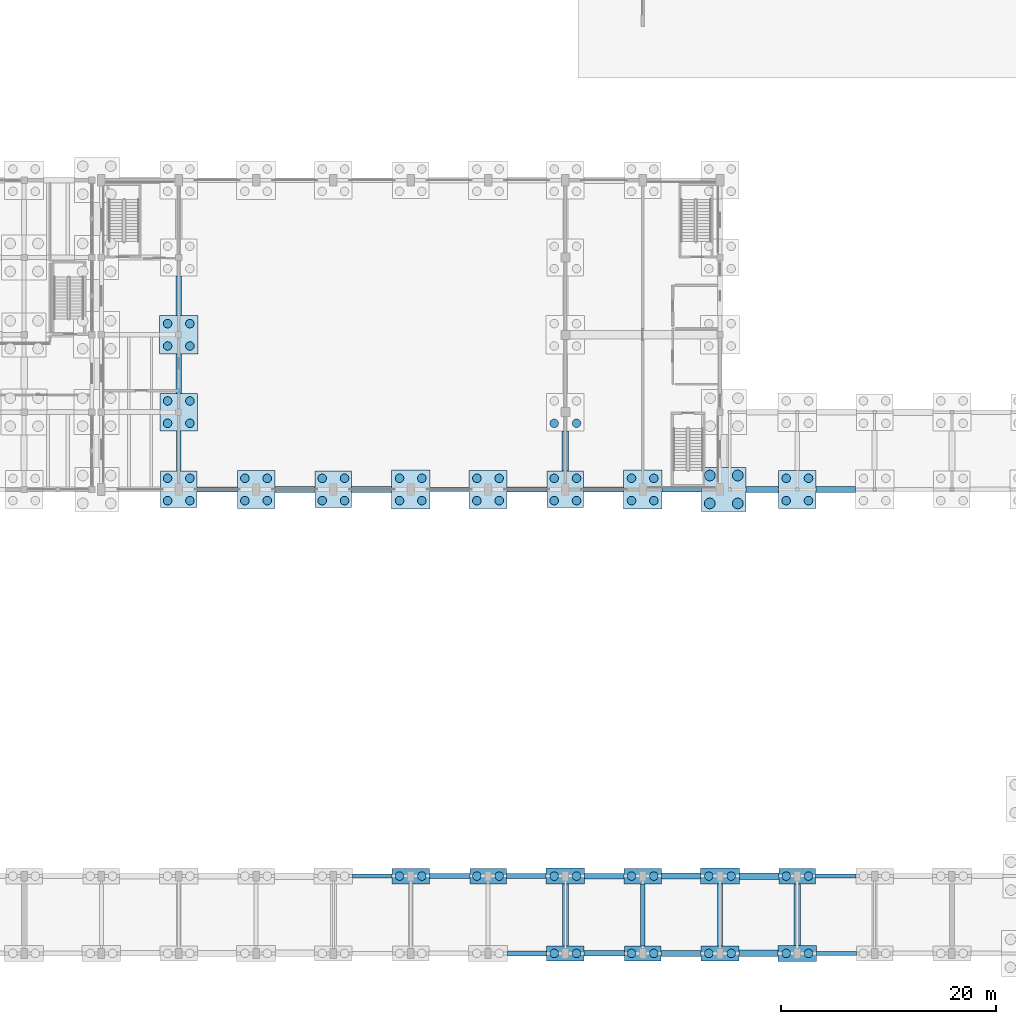
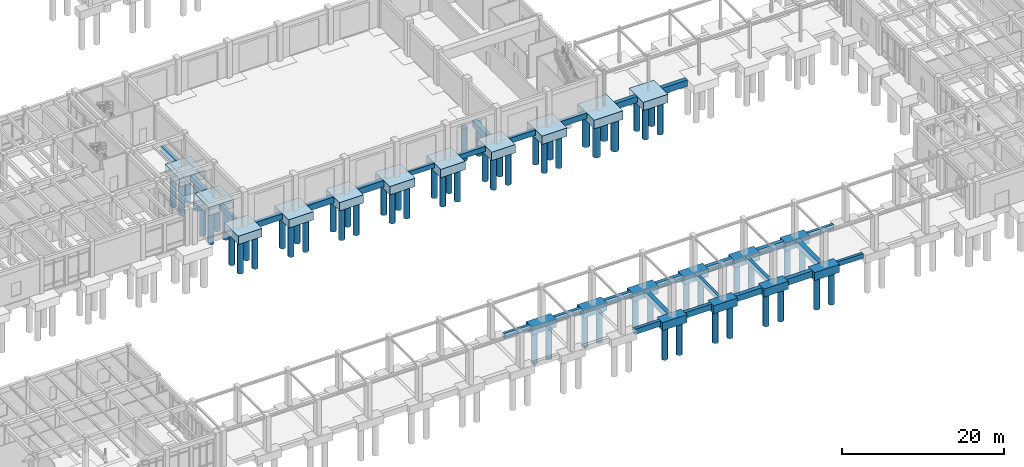
# One storey, part 4 of 93: 66 piles, 50 footings.
"""IFC4 building model written with IfcOpenShell, lengths in metres."""

from ifc_helpers import new_model, si_unit, direction, frame, origin, origin_2d, place, context, subcontext, project, spatial, rectangle, circle, extrude, material, material_profile, profile_set, type_object, element, save


model = new_model("IFC4")

# Units and contexts
model_context = context("Model", 3, precision=1e-05, world=origin(), true_north=direction((0.0, 1.0)))
body_context = subcontext(model_context, "Body", "Model", "MODEL_VIEW")
ifc_project = project(units=[si_unit("LENGTHUNIT", "METRE"), si_unit("AREAUNIT", "SQUARE_METRE"), si_unit("VOLUMEUNIT", "CUBIC_METRE"), si_unit("PLANEANGLEUNIT", "RADIAN"), si_unit("MASSUNIT", "GRAM", prefix="KILO")], contexts=[model_context])

# Site, building, storey
site_placement = place(None, origin())
site = spatial("IfcSite", under=ifc_project, at=site_placement, CompositionType="ELEMENT")
building_placement = place(site_placement, origin())
building = spatial("IfcBuilding", under=site, at=building_placement, Name="Koriwan Promenade Central Fire Station", CompositionType="ELEMENT")
storey_placement = place(building_placement, origin())
storey = spatial("IfcBuildingStorey", under=building, at=storey_placement, Name="L00", CompositionType="ELEMENT", Elevation=0.0)

# Piles
ifc_material = material(Name="Concrete C35/45", Category="concrete")
ifc_material_profile_1 = material_profile(ifc_material, circle(Radius=0.5, at=origin_2d()), Name="PILE-D1000")
ifc_profile_set_1 = profile_set([ifc_material_profile_1], Name="Concrete C35/45")
pile_type_1 = type_object("IfcPileType", Name="BoredPile_1000", PredefinedType="BORED", material=ifc_profile_set_1)
for number, where, z_axis, x_axis, name in (
    (1, (114.25, 41.89990234375, -1.14990234375), (0.0, 0.0, -1.0), (1.0, 0.0, 0.0), "Bored pile PCAP_144-11"),
    (2, (114.25, 44.5, -1.14990234375), (0.0, 0.0, -1.0), (1.0, 0.0, 0.0), "Bored pile PCAP_144-12"),
    (3, (116.85009765625, 41.89990234375, -1.14990234375), (0.0, 0.0, -1.0), (1.0, 0.0, 0.0), "Bored pile PCAP_144-21"),
    (4, (116.85009765625, 44.5, -1.14990234375), (0.0, 0.0, -1.0), (1.0, 0.0, 0.0), "Bored pile PCAP_144-22"),
):
    element("IfcPile", number, at=place(storey_placement, frame(where, z_axis=z_axis, x_axis=x_axis)), inside=storey, type_object=pile_type_1, Name=name, PredefinedType="BORED", context=body_context, shape_type="SweptSolid", body=[
        extrude(circle(Radius=0.5, at=origin_2d()), origin(), (0.0, 0.0, 1.0), 4.89990234375),
    ])
ifc_material_profile_2 = material_profile(ifc_material, circle(Radius=0.39990234375, at=origin_2d()), Name="PILE-D800")
ifc_profile_set_2 = profile_set([ifc_material_profile_2], Name="Concrete C35/45")
pile_type_2 = type_object("IfcPileType", Name="BoredPile_800", PredefinedType="BORED", material=ifc_profile_set_2)
for number, where, z_axis, x_axis, name in (
    (5, (63.760009765625, 42.159912109375, -1.10009765625), (0.0, 0.0, -1.0), (1.0, 0.0, 0.0), "Bored pile PCAP_090-11"),
    (6, (63.760009765625, 44.239990234375, -1.10009765625), (0.0, 0.0, -1.0), (1.0, 0.0, 0.0), "Bored pile PCAP_090-12"),
    (7, (65.840087890625, 42.159912109375, -1.10009765625), (0.0, 0.0, -1.0), (1.0, 0.0, 0.0), "Bored pile PCAP_090-21"),
    (8, (65.840087890625, 44.239990234375, -1.10009765625), (0.0, 0.0, -1.0), (1.0, 0.0, 0.0), "Bored pile PCAP_090-22"),
    (9, (63.760009765625, 49.360107421875, -1.10009765625), (0.0, 0.0, -1.0), (1.0, 0.0, 0.0), "Bored pile PCAP_091-11"),
    (10, (63.760009765625, 51.43994140625, -1.10009765625), (0.0, 0.0, -1.0), (1.0, 0.0, 0.0), "Bored pile PCAP_091-12"),
    (11, (65.840087890625, 49.360107421875, -1.10009765625), (0.0, 0.0, -1.0), (1.0, 0.0, 0.0), "Bored pile PCAP_091-21"),
    (12, (65.840087890625, 51.43994140625, -1.10009765625), (0.0, 0.0, -1.0), (1.0, 0.0, 0.0), "Bored pile PCAP_091-22"),
    (13, (63.760009765625, 56.56005859375, -1.10009765625), (0.0, 0.0, -1.0), (1.0, 0.0, 0.0), "Bored pile PCAP_092-11"),
    (14, (63.760009765625, 58.639892578125, -1.10009765625), (0.0, 0.0, -1.0), (1.0, 0.0, 0.0), "Bored pile PCAP_092-12"),
    (15, (65.840087890625, 56.56005859375, -1.10009765625), (0.0, 0.0, -1.0), (1.0, 0.0, 0.0), "Bored pile PCAP_092-21"),
    (16, (65.840087890625, 58.639892578125, -1.10009765625), (0.0, 0.0, -1.0), (1.0, 0.0, 0.0), "Bored pile PCAP_092-22"),
    (17, (70.9599609375, 42.159912109375, -1.10009765625), (0.0, 0.0, -1.0), (1.0, 0.0, 0.0), "Bored pile PCAP_097-11"),
    (18, (70.9599609375, 44.239990234375, -1.10009765625), (0.0, 0.0, -1.0), (1.0, 0.0, 0.0), "Bored pile PCAP_097-12"),
    (19, (73.0400390625, 42.159912109375, -1.10009765625), (0.0, 0.0, -1.0), (1.0, 0.0, 0.0), "Bored pile PCAP_097-21"),
    (20, (73.0400390625, 44.239990234375, -1.10009765625), (0.0, 0.0, -1.0), (1.0, 0.0, 0.0), "Bored pile PCAP_097-22"),
    (21, (78.159912109375, 42.159912109375, -1.10009765625), (0.0, 0.0, -1.0), (1.0, 0.0, 0.0), "Bored pile PCAP_105-11"),
    (22, (78.159912109375, 44.239990234375, -1.10009765625), (0.0, 0.0, -1.0), (1.0, 0.0, 0.0), "Bored pile PCAP_105-12"),
    (23, (80.239990234375, 42.159912109375, -1.10009765625), (0.0, 0.0, -1.0), (1.0, 0.0, 0.0), "Bored pile PCAP_105-21"),
    (24, (80.239990234375, 44.239990234375, -1.10009765625), (0.0, 0.0, -1.0), (1.0, 0.0, 0.0), "Bored pile PCAP_105-22"),
):
    element("IfcPile", number, at=place(storey_placement, frame(where, z_axis=z_axis, x_axis=x_axis)), inside=storey, type_object=pile_type_2, Name=name, PredefinedType="BORED", context=body_context, shape_type="SweptSolid", body=[
        extrude(circle(Radius=0.39990234375, at=origin_2d()), origin(), (0.0, 0.0, 1.0), 4.949951171875),
    ])
for number, where, z_axis, x_axis, name in (
    (25, (85.360107421875, 7.199951171875, -1.050048828125), (0.0, 0.0, -1.0), (1.0, 0.0, 0.0), "Bored pile PCAP_112-11"),
    (26, (87.43994140625, 7.199951171875, -1.050048828125), (0.0, 0.0, -1.0), (1.0, 0.0, 0.0), "Bored pile PCAP_112-21"),
):
    element("IfcPile", number, at=place(storey_placement, frame(where, z_axis=z_axis, x_axis=x_axis)), inside=storey, type_object=pile_type_2, Name=name, PredefinedType="BORED", context=body_context, shape_type="SweptSolid", body=[
        extrude(circle(Radius=0.39990234375, at=origin_2d()), origin(), (0.0, 0.0, 1.0), 5.0),
    ])
for number, where, z_axis, x_axis, name in (
    (27, (85.360107421875, 42.159912109375, -1.10009765625), (0.0, 0.0, -1.0), (1.0, 0.0, 0.0), "Bored pile PCAP_113-11"),
    (28, (85.360107421875, 44.239990234375, -1.10009765625), (0.0, 0.0, -1.0), (1.0, 0.0, 0.0), "Bored pile PCAP_113-12"),
    (29, (87.43994140625, 42.159912109375, -1.10009765625), (0.0, 0.0, -1.0), (1.0, 0.0, 0.0), "Bored pile PCAP_113-21"),
    (30, (87.43994140625, 44.239990234375, -1.10009765625), (0.0, 0.0, -1.0), (1.0, 0.0, 0.0), "Bored pile PCAP_113-22"),
):
    element("IfcPile", number, at=place(storey_placement, frame(where, z_axis=z_axis, x_axis=x_axis)), inside=storey, type_object=pile_type_2, Name=name, PredefinedType="BORED", context=body_context, shape_type="SweptSolid", body=[
        extrude(circle(Radius=0.39990234375, at=origin_2d()), origin(), (0.0, 0.0, 1.0), 4.949951171875),
    ])
for number, where, z_axis, x_axis, name in (
    (31, (92.56005859375, 7.199951171875, -1.050048828125), (0.0, 0.0, -1.0), (1.0, 0.0, 0.0), "Bored pile PCAP_120-11"),
    (32, (94.639892578125, 7.199951171875, -1.050048828125), (0.0, 0.0, -1.0), (1.0, 0.0, 0.0), "Bored pile PCAP_120-21"),
):
    element("IfcPile", number, at=place(storey_placement, frame(where, z_axis=z_axis, x_axis=x_axis)), inside=storey, type_object=pile_type_2, Name=name, PredefinedType="BORED", context=body_context, shape_type="SweptSolid", body=[
        extrude(circle(Radius=0.39990234375, at=origin_2d()), origin(), (0.0, 0.0, 1.0), 5.0),
    ])
for number, where, z_axis, x_axis, name in (
    (33, (92.56005859375, 42.159912109375, -1.10009765625), (0.0, 0.0, -1.0), (1.0, 0.0, 0.0), "Bored pile PCAP_121-11"),
    (34, (92.56005859375, 44.239990234375, -1.10009765625), (0.0, 0.0, -1.0), (1.0, 0.0, 0.0), "Bored pile PCAP_121-12"),
    (35, (94.639892578125, 42.159912109375, -1.10009765625), (0.0, 0.0, -1.0), (1.0, 0.0, 0.0), "Bored pile PCAP_121-21"),
    (36, (94.639892578125, 44.239990234375, -1.10009765625), (0.0, 0.0, -1.0), (1.0, 0.0, 0.0), "Bored pile PCAP_121-22"),
):
    element("IfcPile", number, at=place(storey_placement, frame(where, z_axis=z_axis, x_axis=x_axis)), inside=storey, type_object=pile_type_2, Name=name, PredefinedType="BORED", context=body_context, shape_type="SweptSolid", body=[
        extrude(circle(Radius=0.39990234375, at=origin_2d()), origin(), (0.0, 0.0, 1.0), 4.949951171875),
    ])
for number, where, z_axis, x_axis, name in (
    (37, (99.760009765625, 0.0, -1.050048828125), (0.0, 0.0, -1.0), (1.0, 0.0, 0.0), "Bored pile PCAP_127-11"),
    (38, (101.840087890625, 0.0, -1.050048828125), (0.0, 0.0, -1.0), (1.0, 0.0, 0.0), "Bored pile PCAP_127-21"),
    (39, (99.760009765625, 7.199951171875, -1.050048828125), (0.0, 0.0, -1.0), (1.0, 0.0, 0.0), "Bored pile PCAP_128-11"),
    (40, (101.840087890625, 7.199951171875, -1.050048828125), (0.0, 0.0, -1.0), (1.0, 0.0, 0.0), "Bored pile PCAP_128-21"),
):
    element("IfcPile", number, at=place(storey_placement, frame(where, z_axis=z_axis, x_axis=x_axis)), inside=storey, type_object=pile_type_2, Name=name, PredefinedType="BORED", context=body_context, shape_type="SweptSolid", body=[
        extrude(circle(Radius=0.39990234375, at=origin_2d()), origin(), (0.0, 0.0, 1.0), 5.0),
    ])
for number, where, z_axis, x_axis, name in (
    (41, (99.760009765625, 42.159912109375, -1.10009765625), (0.0, 0.0, -1.0), (1.0, 0.0, 0.0), "Bored pile PCAP_129-11"),
    (42, (99.760009765625, 44.239990234375, -1.10009765625), (0.0, 0.0, -1.0), (1.0, 0.0, 0.0), "Bored pile PCAP_129-12"),
    (43, (101.840087890625, 42.159912109375, -1.10009765625), (0.0, 0.0, -1.0), (1.0, 0.0, 0.0), "Bored pile PCAP_129-21"),
    (44, (101.840087890625, 44.239990234375, -1.10009765625), (0.0, 0.0, -1.0), (1.0, 0.0, 0.0), "Bored pile PCAP_129-22"),
    (45, (99.760009765625, 49.360107421875, -1.10009765625), (0.0, 0.0, -1.0), (1.0, 0.0, 0.0), "Bored pile PCAP_130-11"),
    (46, (101.840087890625, 49.360107421875, -1.10009765625), (0.0, 0.0, -1.0), (1.0, 0.0, 0.0), "Bored pile PCAP_130-21"),
):
    element("IfcPile", number, at=place(storey_placement, frame(where, z_axis=z_axis, x_axis=x_axis)), inside=storey, type_object=pile_type_2, Name=name, PredefinedType="BORED", context=body_context, shape_type="SweptSolid", body=[
        extrude(circle(Radius=0.39990234375, at=origin_2d()), origin(), (0.0, 0.0, 1.0), 4.949951171875),
    ])
for number, where, z_axis, x_axis, name in (
    (47, (106.9599609375, 0.0, -1.050048828125), (0.0, 0.0, -1.0), (1.0, 0.0, 0.0), "Bored pile PCAP_138-11"),
    (48, (109.0400390625, 0.0, -1.050048828125), (0.0, 0.0, -1.0), (1.0, 0.0, 0.0), "Bored pile PCAP_138-21"),
    (49, (106.9599609375, 7.199951171875, -1.050048828125), (0.0, 0.0, -1.0), (1.0, 0.0, 0.0), "Bored pile PCAP_139-11"),
    (50, (109.0400390625, 7.199951171875, -1.050048828125), (0.0, 0.0, -1.0), (1.0, 0.0, 0.0), "Bored pile PCAP_139-21"),
):
    element("IfcPile", number, at=place(storey_placement, frame(where, z_axis=z_axis, x_axis=x_axis)), inside=storey, type_object=pile_type_2, Name=name, PredefinedType="BORED", context=body_context, shape_type="SweptSolid", body=[
        extrude(circle(Radius=0.39990234375, at=origin_2d()), origin(), (0.0, 0.0, 1.0), 5.0),
    ])
for number, where, z_axis, x_axis, name in (
    (51, (106.9599609375, 42.159912109375, -1.10009765625), (0.0, 0.0, -1.0), (1.0, 0.0, 0.0), "Bored pile PCAP_140-11"),
    (52, (106.9599609375, 44.239990234375, -1.10009765625), (0.0, 0.0, -1.0), (1.0, 0.0, 0.0), "Bored pile PCAP_140-12"),
    (53, (109.0400390625, 42.159912109375, -1.10009765625), (0.0, 0.0, -1.0), (1.0, 0.0, 0.0), "Bored pile PCAP_140-21"),
    (54, (109.0400390625, 44.239990234375, -1.10009765625), (0.0, 0.0, -1.0), (1.0, 0.0, 0.0), "Bored pile PCAP_140-22"),
):
    element("IfcPile", number, at=place(storey_placement, frame(where, z_axis=z_axis, x_axis=x_axis)), inside=storey, type_object=pile_type_2, Name=name, PredefinedType="BORED", context=body_context, shape_type="SweptSolid", body=[
        extrude(circle(Radius=0.39990234375, at=origin_2d()), origin(), (0.0, 0.0, 1.0), 4.949951171875),
    ])
for number, where, z_axis, x_axis, name in (
    (55, (114.159912109375, 0.0, -1.050048828125), (0.0, 0.0, -1.0), (1.0, 0.0, 0.0), "Bored pile PCAP_142-11"),
    (56, (116.239990234375, 0.0, -1.050048828125), (0.0, 0.0, -1.0), (1.0, 0.0, 0.0), "Bored pile PCAP_142-21"),
    (57, (114.159912109375, 7.199951171875, -1.050048828125), (0.0, 0.0, -1.0), (1.0, 0.0, 0.0), "Bored pile PCAP_143-11"),
    (58, (116.239990234375, 7.199951171875, -1.050048828125), (0.0, 0.0, -1.0), (1.0, 0.0, 0.0), "Bored pile PCAP_143-21"),
    (59, (121.360107421875, 0.0, -1.050048828125), (0.0, 0.0, -1.0), (1.0, 0.0, 0.0), "Bored pile PCAP_149-11"),
    (60, (123.43994140625, 0.0, -1.050048828125), (0.0, 0.0, -1.0), (1.0, 0.0, 0.0), "Bored pile PCAP_149-21"),
    (61, (121.360107421875, 7.199951171875, -1.050048828125), (0.0, 0.0, -1.0), (1.0, 0.0, 0.0), "Bored pile PCAP_150-11"),
    (62, (123.43994140625, 7.199951171875, -1.050048828125), (0.0, 0.0, -1.0), (1.0, 0.0, 0.0), "Bored pile PCAP_150-21"),
):
    element("IfcPile", number, at=place(storey_placement, frame(where, z_axis=z_axis, x_axis=x_axis)), inside=storey, type_object=pile_type_2, Name=name, PredefinedType="BORED", context=body_context, shape_type="SweptSolid", body=[
        extrude(circle(Radius=0.39990234375, at=origin_2d()), origin(), (0.0, 0.0, 1.0), 5.0),
    ])
for number, where, z_axis, x_axis, name in (
    (63, (121.360107421875, 42.159912109375, -1.10009765625), (0.0, 0.0, -1.0), (1.0, 0.0, 0.0), "Bored pile PCAP_151-11"),
    (64, (121.360107421875, 44.239990234375, -1.10009765625), (0.0, 0.0, -1.0), (1.0, 0.0, 0.0), "Bored pile PCAP_151-12"),
    (65, (123.43994140625, 42.159912109375, -1.10009765625), (0.0, 0.0, -1.0), (1.0, 0.0, 0.0), "Bored pile PCAP_151-21"),
    (66, (123.43994140625, 44.239990234375, -1.10009765625), (0.0, 0.0, -1.0), (1.0, 0.0, 0.0), "Bored pile PCAP_151-22"),
):
    element("IfcPile", number, at=place(storey_placement, frame(where, z_axis=z_axis, x_axis=x_axis)), inside=storey, type_object=pile_type_2, Name=name, PredefinedType="BORED", context=body_context, shape_type="SweptSolid", body=[
        extrude(circle(Radius=0.39990234375, at=origin_2d()), origin(), (0.0, 0.0, 1.0), 4.949951171875),
    ])

# Footings
footing_type_1 = type_object("IfcFootingType", Name="GroundTieBeam_400x700", PredefinedType="FOOTING_BEAM", material=ifc_material)
footing_1_placement = place(storey_placement, frame((126.050048828125, 0.0, -0.7001953125), z_axis=(0.0, 0.0, 1.0), x_axis=(1.0, 0.0, 0.0)))
element("IfcFooting", 67, at=footing_1_placement, inside=storey, type_object=footing_type_1, Name="Seismic tie beam X-018", PredefinedType="FOOTING_BEAM", context=body_context, shape_type="SweptSolid", body=[
    extrude(rectangle(XDim=3.699951171875, YDim=0.39990234375, at=origin_2d()), origin(), (0.0, 0.0, 1.0), 0.699951171875),
])
footing_2_placement = place(storey_placement, frame((82.824951171875, 7.199951171875, -0.7001953125), z_axis=(0.0, 0.0, 1.0), x_axis=(1.0, 0.0, 0.0)))
element("IfcFooting", 68, at=footing_2_placement, inside=storey, type_object=footing_type_1, Name="Seismic tie beam X-036", PredefinedType="FOOTING_BEAM", context=body_context, shape_type="SweptSolid", body=[
    extrude(rectangle(XDim=3.64990234375, YDim=0.39990234375, at=origin_2d()), origin(), (0.0, 0.0, 1.0), 0.699951171875),
])
footing_3_placement = place(storey_placement, frame((125.97509765625, 7.199951171875, -0.7001953125), z_axis=(0.0, 0.0, 1.0), x_axis=(1.0, 0.0, 0.0)))
element("IfcFooting", 69, at=footing_3_placement, inside=storey, type_object=footing_type_1, Name="Seismic tie beam X-042", PredefinedType="FOOTING_BEAM", context=body_context, shape_type="SweptSolid", body=[
    extrude(rectangle(XDim=3.75, YDim=0.39990234375, at=origin_2d()), origin(), (0.0, 0.0, 1.0), 0.699951171875),
])
footing_4_placement = place(storey_placement, frame((90.02490234375, 43.199951171875, -0.7001953125), z_axis=(0.0, 0.0, 1.0), x_axis=(1.0, 0.0, 0.0)))
element("IfcFooting", 70, at=footing_4_placement, inside=storey, type_object=footing_type_1, Name="Seismic tie beam X-084", PredefinedType="FOOTING_BEAM", context=body_context, shape_type="SweptSolid", body=[
    extrude(rectangle(XDim=3.64990234375, YDim=0.39990234375, at=origin_2d()), origin(), (0.0, 0.0, 1.0), 0.699951171875),
])
footing_5_placement = place(storey_placement, frame((108.0, 3.58740234375, -0.7001953125), z_axis=(0.0, 0.0, 1.0), x_axis=(0.0, 1.0, 0.0)))
element("IfcFooting", 71, at=footing_5_placement, inside=storey, type_object=footing_type_1, Name="Seismic tie beam Y-270", PredefinedType="FOOTING_BEAM", context=body_context, shape_type="SweptSolid", body=[
    extrude(rectangle(XDim=5.77490234375, YDim=0.39990234375, at=origin_2d()), origin(), (0.0, 0.0, 1.0), 0.699951171875),
])
footing_type_2 = type_object("IfcFootingType", Name="GroundTieBeam_450x750", PredefinedType="FOOTING_BEAM", material=ifc_material)
for number, where, z_axis, x_axis, name in (
    (72, (90.02490234375, 7.199951171875, -0.75), (0.0, 0.0, 1.0), (1.0, 0.0, 0.0), "Seismic tie beam X-037"),
    (73, (97.22509765625, 43.199951171875, -0.75), (0.0, 0.0, 1.0), (1.0, 0.0, 0.0), "Seismic tie beam X-085"),
):
    element("IfcFooting", number, at=place(storey_placement, frame(where, z_axis=z_axis, x_axis=x_axis)), inside=storey, type_object=footing_type_2, Name=name, PredefinedType="FOOTING_BEAM", context=body_context, shape_type="SweptSolid", body=[
        extrude(rectangle(XDim=3.75, YDim=0.449951171875, at=origin_2d()), origin(), (0.0, 0.0, 1.0), 0.75),
    ])
footing_6_placement = place(storey_placement, frame((115.199951171875, 3.574951171875, -0.75), z_axis=(0.0, 0.0, 1.0), x_axis=(0.0, 1.0, 0.0)))
element("IfcFooting", 74, at=footing_6_placement, inside=storey, type_object=footing_type_2, Name="Seismic tie beam Y-271", PredefinedType="FOOTING_BEAM", context=body_context, shape_type="SweptSolid", body=[
    extrude(rectangle(XDim=5.75, YDim=0.449951171875, at=origin_2d()), origin(), (0.0, 0.0, 1.0), 0.75),
])
footing_type_3 = type_object("IfcFootingType", Name="GroundTieBeam_450x800", PredefinedType="FOOTING_BEAM", material=ifc_material)
footing_7_placement = place(storey_placement, frame((97.22509765625, 0.0, -0.7998046875), z_axis=(0.0, 0.0, 1.0), x_axis=(1.0, 0.0, 0.0)))
element("IfcFooting", 75, at=footing_7_placement, inside=storey, type_object=footing_type_3, Name="Seismic tie beam X-014", PredefinedType="FOOTING_BEAM", context=body_context, shape_type="SweptSolid", body=[
    extrude(rectangle(XDim=3.64990234375, YDim=0.449951171875, at=origin_2d()), origin(), (0.0, 0.0, 1.0), 0.800048828125),
])
for number, where, z_axis, x_axis, name in (
    (76, (97.14990234375, 7.199951171875, -0.7998046875), (0.0, 0.0, 1.0), (1.0, 0.0, 0.0), "Seismic tie beam X-038"),
    (77, (104.35009765625, 43.199951171875, -0.7998046875), (0.0, 0.0, 1.0), (1.0, 0.0, 0.0), "Seismic tie beam X-086"),
):
    element("IfcFooting", number, at=place(storey_placement, frame(where, z_axis=z_axis, x_axis=x_axis)), inside=storey, type_object=footing_type_3, Name=name, PredefinedType="FOOTING_BEAM", context=body_context, shape_type="SweptSolid", body=[
        extrude(rectangle(XDim=3.699951171875, YDim=0.449951171875, at=origin_2d()), origin(), (0.0, 0.0, 1.0), 0.800048828125),
    ])
footing_8_placement = place(storey_placement, frame((64.800048828125, 46.77490234375, -0.7998046875), z_axis=(0.0, 0.0, 1.0), x_axis=(0.0, 1.0, 0.0)))
element("IfcFooting", 78, at=footing_8_placement, inside=storey, type_object=footing_type_3, Name="Seismic tie beam Y-242", PredefinedType="FOOTING_BEAM", context=body_context, shape_type="SweptSolid", body=[
    extrude(rectangle(XDim=3.75, YDim=0.449951171875, at=origin_2d()), origin(), (0.0, 0.0, 1.0), 0.800048828125),
])
footing_type_4 = type_object("IfcFootingType", Name="GroundTieBeam_500x850", PredefinedType="FOOTING_BEAM", material=ifc_material)
footing_9_placement = place(storey_placement, frame((104.425048828125, 0.0, -0.85009765625), z_axis=(0.0, 0.0, 1.0), x_axis=(1.0, 0.0, 0.0)))
element("IfcFooting", 79, at=footing_9_placement, inside=storey, type_object=footing_type_4, Name="Seismic tie beam X-015", PredefinedType="FOOTING_BEAM", context=body_context, shape_type="SweptSolid", body=[
    extrude(rectangle(XDim=3.75, YDim=0.5, at=origin_2d()), origin(), (0.0, 0.0, 1.0), 0.85009765625),
])
footing_10_placement = place(storey_placement, frame((104.425048828125, 7.199951171875, -0.85009765625), z_axis=(0.0, 0.0, 1.0), x_axis=(1.0, 0.0, 0.0)))
element("IfcFooting", 80, at=footing_10_placement, inside=storey, type_object=footing_type_4, Name="Seismic tie beam X-039", PredefinedType="FOOTING_BEAM", context=body_context, shape_type="SweptSolid", body=[
    extrude(rectangle(XDim=3.64990234375, YDim=0.5, at=origin_2d()), origin(), (0.0, 0.0, 1.0), 0.85009765625),
])
footing_11_placement = place(storey_placement, frame((68.375, 43.199951171875, -0.85009765625), z_axis=(0.0, 0.0, 1.0), x_axis=(1.0, 0.0, 0.0)))
element("IfcFooting", 81, at=footing_11_placement, inside=storey, type_object=footing_type_4, Name="Seismic tie beam X-081", PredefinedType="FOOTING_BEAM", context=body_context, shape_type="SweptSolid", body=[
    extrude(rectangle(XDim=3.75, YDim=0.5, at=origin_2d()), origin(), (0.0, 0.0, 1.0), 0.85009765625),
])
footing_12_placement = place(storey_placement, frame((111.64990234375, 43.199951171875, -0.85009765625), z_axis=(0.0, 0.0, 1.0), x_axis=(1.0, 0.0, 0.0)))
element("IfcFooting", 82, at=footing_12_placement, inside=storey, type_object=footing_type_4, Name="Seismic tie beam X-087", PredefinedType="FOOTING_BEAM", context=body_context, shape_type="SweptSolid", body=[
    extrude(rectangle(XDim=3.699951171875, YDim=0.5, at=origin_2d()), origin(), (0.0, 0.0, 1.0), 0.85009765625),
])
footing_13_placement = place(storey_placement, frame((64.800048828125, 53.97509765625, -0.85009765625), z_axis=(0.0, 0.0, 1.0), x_axis=(0.0, 1.0, 0.0)))
element("IfcFooting", 83, at=footing_13_placement, inside=storey, type_object=footing_type_4, Name="Seismic tie beam Y-243", PredefinedType="FOOTING_BEAM", context=body_context, shape_type="SweptSolid", body=[
    extrude(rectangle(XDim=3.64990234375, YDim=0.5, at=origin_2d()), origin(), (0.0, 0.0, 1.0), 0.85009765625),
])
footing_type_5 = type_object("IfcFootingType", Name="GroundTieBeam_550x900", PredefinedType="FOOTING_BEAM", material=ifc_material)
footing_14_placement = place(storey_placement, frame((111.574951171875, 0.0, -0.89990234375), z_axis=(0.0, 0.0, 1.0), x_axis=(1.0, 0.0, 0.0)))
element("IfcFooting", 84, at=footing_14_placement, inside=storey, type_object=footing_type_5, Name="Seismic tie beam X-016", PredefinedType="FOOTING_BEAM", context=body_context, shape_type="SweptSolid", body=[
    extrude(rectangle(XDim=3.75, YDim=0.550048828125, at=origin_2d()), origin(), (0.0, 0.0, 1.0), 0.89990234375),
])
footing_15_placement = place(storey_placement, frame((111.574951171875, 7.199951171875, -0.89990234375), z_axis=(0.0, 0.0, 1.0), x_axis=(1.0, 0.0, 0.0)))
element("IfcFooting", 85, at=footing_15_placement, inside=storey, type_object=footing_type_5, Name="Seismic tie beam X-040", PredefinedType="FOOTING_BEAM", context=body_context, shape_type="SweptSolid", body=[
    extrude(rectangle(XDim=3.64990234375, YDim=0.550048828125, at=origin_2d()), origin(), (0.0, 0.0, 1.0), 0.89990234375),
])
footing_16_placement = place(storey_placement, frame((75.625, 43.199951171875, -0.89990234375), z_axis=(0.0, 0.0, 1.0), x_axis=(1.0, 0.0, 0.0)))
element("IfcFooting", 86, at=footing_16_placement, inside=storey, type_object=footing_type_5, Name="Seismic tie beam X-082", PredefinedType="FOOTING_BEAM", context=body_context, shape_type="SweptSolid", body=[
    extrude(rectangle(XDim=3.75, YDim=0.550048828125, at=origin_2d()), origin(), (0.0, 0.0, 1.0), 0.89990234375),
])
footing_17_placement = place(storey_placement, frame((119.125, 43.199951171875, -0.89990234375), z_axis=(0.0, 0.0, 1.0), x_axis=(1.0, 0.0, 0.0)))
element("IfcFooting", 87, at=footing_17_placement, inside=storey, type_object=footing_type_5, Name="Seismic tie beam X-088", PredefinedType="FOOTING_BEAM", context=body_context, shape_type="SweptSolid", body=[
    extrude(rectangle(XDim=3.050048828125, YDim=0.550048828125, at=origin_2d()), origin(), (0.0, 0.0, 1.0), 0.89990234375),
])
footing_18_placement = place(storey_placement, frame((64.800048828125, 61.25, -0.89990234375), z_axis=(0.0, 0.0, 1.0), x_axis=(0.0, 1.0, 0.0)))
element("IfcFooting", 88, at=footing_18_placement, inside=storey, type_object=footing_type_5, Name="Seismic tie beam Y-244", PredefinedType="FOOTING_BEAM", context=body_context, shape_type="SweptSolid", body=[
    extrude(rectangle(XDim=3.699951171875, YDim=0.550048828125, at=origin_2d()), origin(), (0.0, 0.0, 1.0), 0.89990234375),
])
footing_19_placement = place(storey_placement, frame((100.800048828125, 3.574951171875, -0.89990234375), z_axis=(0.0, 0.0, 1.0), x_axis=(0.0, 1.0, 0.0)))
element("IfcFooting", 89, at=footing_19_placement, inside=storey, type_object=footing_type_5, Name="Seismic tie beam Y-262", PredefinedType="FOOTING_BEAM", context=body_context, shape_type="SweptSolid", body=[
    extrude(rectangle(XDim=5.75, YDim=0.550048828125, at=origin_2d()), origin(), (0.0, 0.0, 1.0), 0.89990234375),
])
footing_type_6 = type_object("IfcFootingType", Name="GroundTieBeam_600x950", PredefinedType="FOOTING_BEAM", material=ifc_material)
footing_20_placement = place(storey_placement, frame((118.77490234375, 0.0, -0.9501953125), z_axis=(0.0, 0.0, 1.0), x_axis=(1.0, 0.0, 0.0)))
element("IfcFooting", 90, at=footing_20_placement, inside=storey, type_object=footing_type_6, Name="Seismic tie beam X-017", PredefinedType="FOOTING_BEAM", context=body_context, shape_type="SweptSolid", body=[
    extrude(rectangle(XDim=3.64990234375, YDim=0.60009765625, at=origin_2d()), origin(), (0.0, 0.0, 1.0), 0.949951171875),
])
for number, where, z_axis, x_axis, name in (
    (91, (118.85009765625, 7.199951171875, -0.9501953125), (0.0, 0.0, 1.0), (1.0, 0.0, 0.0), "Seismic tie beam X-041"),
    (92, (82.75, 43.199951171875, -0.9501953125), (0.0, 0.0, 1.0), (1.0, 0.0, 0.0), "Seismic tie beam X-083"),
):
    element("IfcFooting", number, at=place(storey_placement, frame(where, z_axis=z_axis, x_axis=x_axis)), inside=storey, type_object=footing_type_6, Name=name, PredefinedType="FOOTING_BEAM", context=body_context, shape_type="SweptSolid", body=[
        extrude(rectangle(XDim=3.699951171875, YDim=0.60009765625, at=origin_2d()), origin(), (0.0, 0.0, 1.0), 0.949951171875),
    ])
footing_21_placement = place(storey_placement, frame((125.97509765625, 43.199951171875, -0.9501953125), z_axis=(0.0, 0.0, 1.0), x_axis=(1.0, 0.0, 0.0)))
element("IfcFooting", 93, at=footing_21_placement, inside=storey, type_object=footing_type_6, Name="Seismic tie beam X-089", PredefinedType="FOOTING_BEAM", context=body_context, shape_type="SweptSolid", body=[
    extrude(rectangle(XDim=3.64990234375, YDim=0.60009765625, at=origin_2d()), origin(), (0.0, 0.0, 1.0), 0.949951171875),
])
footing_22_placement = place(storey_placement, frame((100.800048828125, 46.77490234375, -0.9501953125), z_axis=(0.0, 0.0, 1.0), x_axis=(0.0, 1.0, 0.0)))
element("IfcFooting", 94, at=footing_22_placement, inside=storey, type_object=footing_type_6, Name="Seismic tie beam Y-263", PredefinedType="FOOTING_BEAM", context=body_context, shape_type="SweptSolid", body=[
    extrude(rectangle(XDim=3.75, YDim=0.60009765625, at=origin_2d()), origin(), (0.0, 0.0, 1.0), 0.949951171875),
])
footing_23_placement = place(storey_placement, frame((122.39990234375, 3.612548828125, -0.9501953125), z_axis=(0.0, 0.0, 1.0), x_axis=(0.0, 1.0, 0.0)))
element("IfcFooting", 95, at=footing_23_placement, inside=storey, type_object=footing_type_6, Name="Seismic tie beam Y-275", PredefinedType="FOOTING_BEAM", context=body_context, shape_type="SweptSolid", body=[
    extrude(rectangle(XDim=5.72509765625, YDim=0.60009765625, at=origin_2d()), origin(), (0.0, 0.0, 1.0), 0.949951171875),
])
footing_type_7 = type_object("IfcFootingType", Name="PileCap_3400x1400x1200", PredefinedType="PILE_CAP", material=ifc_material)
footing_24_placement = place(storey_placement, frame((108.0, 0.0, -1.2001953125), z_axis=(0.0, 0.0, 1.0), x_axis=(1.0, 0.0, 0.0)))
element("IfcFooting", 96, at=footing_24_placement, inside=storey, type_object=footing_type_7, Name="Pile cap PCAP_138 (3400x1400x1200)", PredefinedType="PILE_CAP", context=body_context, shape_type="SweptSolid", body=[
    extrude(rectangle(XDim=3.39990234375, YDim=1.39990234375, at=origin_2d()), origin(), (0.0, 0.0, 1.0), 1.199951171875),
])
footing_type_8 = type_object("IfcFootingType", Name="PileCap_3400x1450x1200", PredefinedType="PILE_CAP", material=ifc_material)
for number, where, z_axis, x_axis, name in (
    (97, (93.60009765625, 7.199951171875, -1.2001953125), (0.0, 0.0, 1.0), (1.0, 0.0, 0.0), "Pile cap PCAP_120 (3400x1450x1200)"),
    (98, (122.39990234375, 7.199951171875, -1.2001953125), (0.0, 0.0, 1.0), (1.0, 0.0, 0.0), "Pile cap PCAP_150 (3400x1450x1200)"),
):
    element("IfcFooting", number, at=place(storey_placement, frame(where, z_axis=z_axis, x_axis=x_axis)), inside=storey, type_object=footing_type_8, Name=name, PredefinedType="PILE_CAP", context=body_context, shape_type="SweptSolid", body=[
        extrude(rectangle(XDim=3.39990234375, YDim=1.449951171875, at=origin_2d()), origin(), (0.0, 0.0, 1.0), 1.199951171875),
    ])
footing_type_9 = type_object("IfcFootingType", Name="PileCap_3400x3400x1250", PredefinedType="PILE_CAP", material=ifc_material)
for number, where, z_axis, x_axis, name in (
    (99, (64.800048828125, 43.199951171875, -1.25), (0.0, 0.0, 1.0), (1.0, 0.0, 0.0), "Pile cap PCAP_090 (3400x3400x1250)"),
    (100, (79.199951171875, 43.199951171875, -1.25), (0.0, 0.0, 1.0), (1.0, 0.0, 0.0), "Pile cap PCAP_105 (3400x3400x1250)"),
    (101, (100.800048828125, 43.199951171875, -1.25), (0.0, 0.0, 1.0), (1.0, 0.0, 0.0), "Pile cap PCAP_129 (3400x3400x1250)"),
):
    element("IfcFooting", number, at=place(storey_placement, frame(where, z_axis=z_axis, x_axis=x_axis)), inside=storey, type_object=footing_type_9, Name=name, PredefinedType="PILE_CAP", context=body_context, shape_type="SweptSolid", body=[
        extrude(rectangle(XDim=3.39990234375, YDim=3.39990234375, at=origin_2d()), origin(), (0.0, 0.0, 1.0), 1.25),
    ])
footing_type_10 = type_object("IfcFootingType", Name="PileCap_3500x1400x1200", PredefinedType="PILE_CAP", material=ifc_material)
for number, where, z_axis, x_axis, name in (
    (102, (100.800048828125, 0.0, -1.2001953125), (0.0, 0.0, 1.0), (1.0, 0.0, 0.0), "Pile cap PCAP_127 (3500x1400x1200)"),
    (103, (115.199951171875, 0.0, -1.2001953125), (0.0, 0.0, 1.0), (1.0, 0.0, 0.0), "Pile cap PCAP_142 (3500x1400x1200)"),
):
    element("IfcFooting", number, at=place(storey_placement, frame(where, z_axis=z_axis, x_axis=x_axis)), inside=storey, type_object=footing_type_10, Name=name, PredefinedType="PILE_CAP", context=body_context, shape_type="SweptSolid", body=[
        extrude(rectangle(XDim=3.5, YDim=1.39990234375, at=origin_2d()), origin(), (0.0, 0.0, 1.0), 1.199951171875),
    ])
footing_type_11 = type_object("IfcFootingType", Name="PileCap_3500x1450x1200", PredefinedType="PILE_CAP", material=ifc_material)
for number, where, z_axis, x_axis, name in (
    (104, (86.39990234375, 7.199951171875, -1.2001953125), (0.0, 0.0, 1.0), (1.0, 0.0, 0.0), "Pile cap PCAP_112 (3500x1450x1200)"),
    (105, (108.0, 7.199951171875, -1.2001953125), (0.0, 0.0, 1.0), (1.0, 0.0, 0.0), "Pile cap PCAP_139 (3500x1450x1200)"),
):
    element("IfcFooting", number, at=place(storey_placement, frame(where, z_axis=z_axis, x_axis=x_axis)), inside=storey, type_object=footing_type_11, Name=name, PredefinedType="PILE_CAP", context=body_context, shape_type="SweptSolid", body=[
        extrude(rectangle(XDim=3.5, YDim=1.449951171875, at=origin_2d()), origin(), (0.0, 0.0, 1.0), 1.199951171875),
    ])
footing_type_12 = type_object("IfcFootingType", Name="PileCap_3500x3500x1250", PredefinedType="PILE_CAP", material=ifc_material)
for number, where, z_axis, x_axis, name in (
    (106, (64.800048828125, 50.39990234375, -1.25), (0.0, 0.0, 1.0), (1.0, 0.0, 0.0), "Pile cap PCAP_091 (3500x3500x1250)"),
    (107, (72.0, 43.199951171875, -1.25), (0.0, 0.0, 1.0), (1.0, 0.0, 0.0), "Pile cap PCAP_097 (3500x3500x1250)"),
    (108, (93.60009765625, 43.199951171875, -1.25), (0.0, 0.0, 1.0), (1.0, 0.0, 0.0), "Pile cap PCAP_121 (3500x3500x1250)"),
    (109, (122.39990234375, 43.199951171875, -1.25), (0.0, 0.0, 1.0), (1.0, 0.0, 0.0), "Pile cap PCAP_151 (3500x3500x1250)"),
):
    element("IfcFooting", number, at=place(storey_placement, frame(where, z_axis=z_axis, x_axis=x_axis)), inside=storey, type_object=footing_type_12, Name=name, PredefinedType="PILE_CAP", context=body_context, shape_type="SweptSolid", body=[
        extrude(rectangle(XDim=3.5, YDim=3.5, at=origin_2d()), origin(), (0.0, 0.0, 1.0), 1.25),
    ])
footing_type_13 = type_object("IfcFootingType", Name="PileCap_3600x1500x1200", PredefinedType="PILE_CAP", material=ifc_material)
for number, where, z_axis, x_axis, name in (
    (110, (100.800048828125, 7.199951171875, -1.2001953125), (0.0, 0.0, 1.0), (1.0, 0.0, 0.0), "Pile cap PCAP_128 (3600x1500x1200)"),
    (111, (115.199951171875, 7.199951171875, -1.2001953125), (0.0, 0.0, 1.0), (1.0, 0.0, 0.0), "Pile cap PCAP_143 (3600x1500x1200)"),
    (112, (122.39990234375, 0.0, -1.2001953125), (0.0, 0.0, 1.0), (1.0, 0.0, 0.0), "Pile cap PCAP_149 (3600x1500x1200)"),
):
    element("IfcFooting", number, at=place(storey_placement, frame(where, z_axis=z_axis, x_axis=x_axis)), inside=storey, type_object=footing_type_13, Name=name, PredefinedType="PILE_CAP", context=body_context, shape_type="SweptSolid", body=[
        extrude(rectangle(XDim=3.60009765625, YDim=1.5, at=origin_2d()), origin(), (0.0, 0.0, 1.0), 1.199951171875),
    ])
footing_type_14 = type_object("IfcFootingType", Name="PileCap_3600x3600x1250", PredefinedType="PILE_CAP", material=ifc_material)
for number, where, z_axis, x_axis, name in (
    (113, (64.800048828125, 57.60009765625, -1.25), (0.0, 0.0, 1.0), (1.0, 0.0, 0.0), "Pile cap PCAP_092 (3600x3600x1250)"),
    (114, (86.39990234375, 43.199951171875, -1.25), (0.0, 0.0, 1.0), (1.0, 0.0, 0.0), "Pile cap PCAP_113 (3600x3600x1250)"),
    (115, (108.0, 43.199951171875, -1.25), (0.0, 0.0, 1.0), (1.0, 0.0, 0.0), "Pile cap PCAP_140 (3600x3600x1250)"),
):
    element("IfcFooting", number, at=place(storey_placement, frame(where, z_axis=z_axis, x_axis=x_axis)), inside=storey, type_object=footing_type_14, Name=name, PredefinedType="PILE_CAP", context=body_context, shape_type="SweptSolid", body=[
        extrude(rectangle(XDim=3.60009765625, YDim=3.60009765625, at=origin_2d()), origin(), (0.0, 0.0, 1.0), 1.25),
    ])
footing_type_15 = type_object("IfcFootingType", Name="PileCap_4100x4100x1300", PredefinedType="PILE_CAP", material=ifc_material)
footing_25_placement = place(storey_placement, frame((115.550048828125, 43.199951171875, -1.2998046875), z_axis=(0.0, 0.0, 1.0), x_axis=(1.0, 0.0, 0.0)))
element("IfcFooting", 116, at=footing_25_placement, inside=storey, type_object=footing_type_15, Name="Pile cap PCAP_144 (4100x4100x1300)", PredefinedType="PILE_CAP", context=body_context, shape_type="SweptSolid", body=[
    extrude(rectangle(XDim=4.10009765625, YDim=4.10009765625, at=origin_2d()), origin(), (0.0, 0.0, 1.0), 1.300048828125),
])

save(model, "model.ifc")
